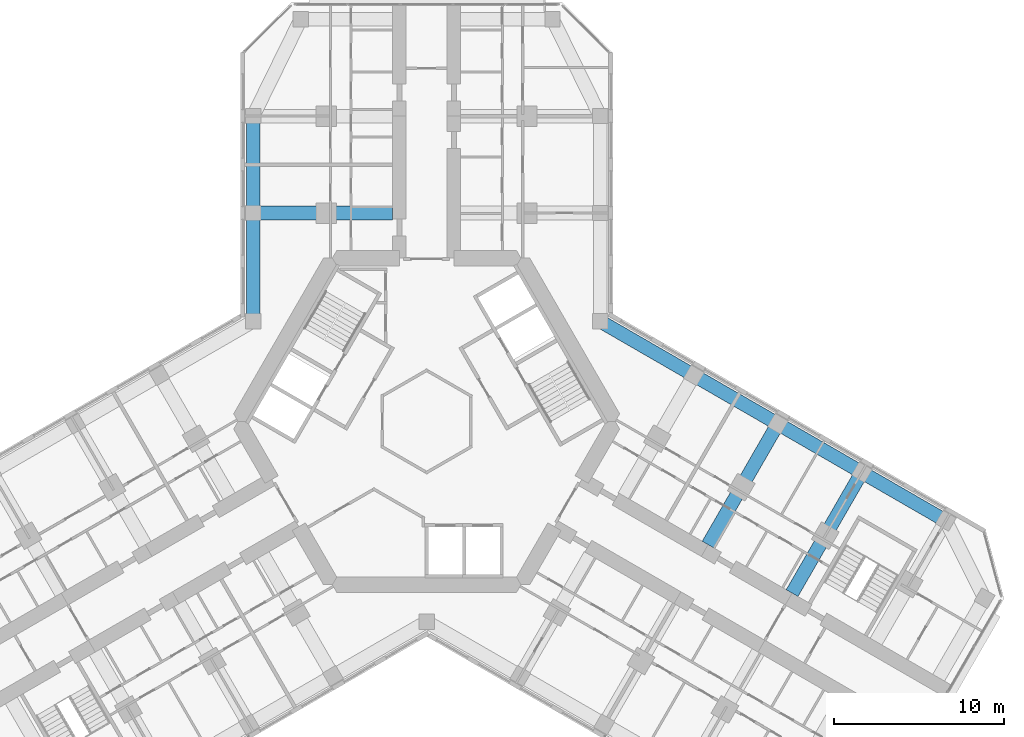
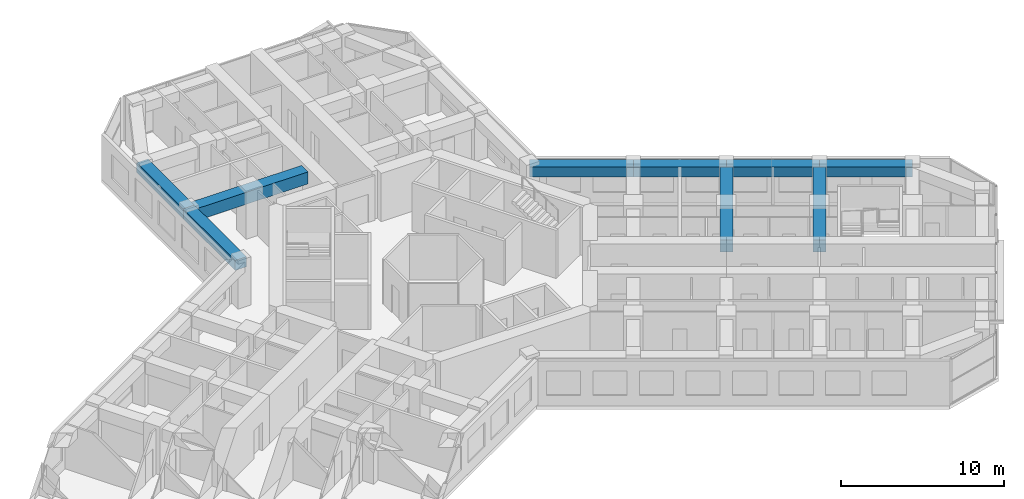
# One storey, part 6 of 19: 9 beams.
"""IFC4 building model written with IfcOpenShell, lengths in metres."""

from ifc_helpers import new_model, si_unit, direction, frame, origin, origin_2d, place, context, subcontext, project, spatial, rectangle, extrude, material, material_profile, profile_set, type_object, element, save


model = new_model("IFC4")

# Units and contexts
model_context = context("Model", 3, precision=1e-05, world=origin(), true_north=direction((0.0, 1.0)))
body_context = subcontext(model_context, "Body", "Model", "MODEL_VIEW")
ifc_project = project(units=[si_unit("LENGTHUNIT", "METRE"), si_unit("AREAUNIT", "SQUARE_METRE"), si_unit("VOLUMEUNIT", "CUBIC_METRE"), si_unit("PLANEANGLEUNIT", "RADIAN"), si_unit("MASSUNIT", "GRAM", prefix="KILO")], contexts=[model_context])

# Site, building, storey
site_placement = place(None, origin())
site = spatial("IfcSite", under=ifc_project, at=site_placement, CompositionType="ELEMENT")
building_placement = place(site_placement, origin())
building = spatial("IfcBuilding", under=site, at=building_placement, Name="Kosmar Iwan School Tower", CompositionType="ELEMENT")
storey_placement = place(building_placement, frame((0.0, 0.0, 134.60009765625)))
storey = spatial("IfcBuildingStorey", under=building, at=storey_placement, Name="L33", CompositionType="ELEMENT", Elevation=134.60009765625)

# Beams
ifc_material_1 = material(Name="Concrete C50/60", Category="concrete")
ifc_material_profile_1 = material_profile(ifc_material_1, rectangle(XDim=0.800048828125, YDim=0.75, at=origin_2d()), Name="RC 800x750")
ifc_profile_set_1 = profile_set([ifc_material_profile_1], Name="Concrete C50/60")
beam_type_1 = type_object("IfcBeamType", Name="RC edge beam 800x750", PredefinedType="BEAM", material=ifc_profile_set_1)
beam_1_placement = place(storey_placement, frame((-10.199951171875, 5.888916015625, 2.974853515625), z_axis=(0.0, 1.0, 0.0), x_axis=(-1.0, 0.0, 0.0)))
element("IfcBeam", 1, at=beam_1_placement, inside=storey, type_object=beam_type_1, Name="Edge beam AL1", PredefinedType="BEAM", context=body_context, shape_type="SweptSolid", body=[
    extrude(rectangle(XDim=0.800048828125, YDim=0.75, at=origin_2d()), origin(), (0.0, 0.0, 1.0), 6.361083984375),
])
beam_2_placement = place(storey_placement, frame((-10.199951171875, 12.25, 2.974853515625), z_axis=(0.0, 1.0, 0.0), x_axis=(-1.0, 0.0, 0.0)))
element("IfcBeam", 2, at=beam_2_placement, inside=storey, type_object=beam_type_1, Name="Edge beam AL2", PredefinedType="BEAM", context=body_context, shape_type="SweptSolid", body=[
    extrude(rectangle(XDim=0.800048828125, YDim=0.75, at=origin_2d()), origin(), (0.0, 0.0, 1.0), 5.699951171875),
])
beam_3_placement = place(storey_placement, frame((10.199951171875, 5.888916015625, 2.974853515625), z_axis=(0.866030912664, -0.49999045822, 0.0), x_axis=(0.49999045822, 0.866030912664, 0.0)))
element("IfcBeam", 3, at=beam_3_placement, inside=storey, type_object=beam_type_1, Name="Edge beam CL1", PredefinedType="BEAM", context=body_context, shape_type="SweptSolid", body=[
    extrude(rectangle(XDim=0.800048828125, YDim=0.75, at=origin_2d()), origin(), (0.0, 0.0, 1.0), 6.36083984375),
])
beam_4_placement = place(storey_placement, frame((15.708740234375, 2.70849609375, 2.974853515625), z_axis=(0.866025820012, -0.499999279071, 0.0), x_axis=(0.499999279071, 0.866025820012, 0.0)))
element("IfcBeam", 4, at=beam_4_placement, inside=storey, type_object=beam_type_1, Name="Edge beam CL2", PredefinedType="BEAM", context=body_context, shape_type="SweptSolid", body=[
    extrude(rectangle(XDim=0.800048828125, YDim=0.75, at=origin_2d()), origin(), (0.0, 0.0, 1.0), 5.7001953125),
])
for number, where, z_axis, x_axis, name in (
    (5, (20.645263671875, -0.1416015625, 2.974853515625), (0.866033658841, -0.49998570155, 0.0), (0.49998570155, 0.866033658841, 0.0), "Edge beam CL3"),
    (6, (25.58154296875, -2.991455078125, 2.974853515625), (0.866015111908, -0.50001782563, 0.0), (0.50001782563, 0.866015111908, 0.0), "Edge beam CL4"),
):
    element("IfcBeam", number, at=place(storey_placement, frame(where, z_axis=z_axis, x_axis=x_axis)), inside=storey, type_object=beam_type_1, Name=name, PredefinedType="BEAM", context=body_context, shape_type="SweptSolid", body=[
        extrude(rectangle(XDim=0.800048828125, YDim=0.75, at=origin_2d()), origin(), (0.0, 0.0, 1.0), 5.699951171875),
    ])
ifc_material_2 = material(Name="Concrete C50/60", Category="concrete")
ifc_material_profile_2 = material_profile(ifc_material_2, rectangle(XDim=0.800048828125, YDim=0.89990234375, at=origin_2d()), Name="RC 800x900")
ifc_profile_set_2 = profile_set([ifc_material_profile_2], Name="Concrete C50/60")
beam_type_2 = type_object("IfcBeamType", Name="RC transverse beam 800x900", PredefinedType="BEAM", material=ifc_profile_set_2)
for number, where, z_axis, x_axis, name in (
    (7, (-10.199951171875, 12.25, 2.89990234375), (1.0, 0.0, 0.0), (0.0, 1.0, 0.0), "Transverse beam AL1"),
    (8, (20.645263671875, -0.1416015625, 2.89990234375), (-0.500013681986, -0.866017504342, 0.0), (0.866017504342, -0.500013681986, 0.0), "Transverse beam CL2"),
):
    element("IfcBeam", number, at=place(storey_placement, frame(where, z_axis=z_axis, x_axis=x_axis)), inside=storey, type_object=beam_type_2, Name=name, PredefinedType="BEAM", context=body_context, shape_type="SweptSolid", body=[
        extrude(rectangle(XDim=0.800048828125, YDim=0.89990234375, at=origin_2d()), origin(), (0.0, 0.0, 1.0), 8.199951171875),
    ])
beam_5_placement = place(storey_placement, frame((25.58154296875, -2.991455078125, 2.89990234375), z_axis=(-0.500000789788, -0.8660249478, 0.0), x_axis=(0.8660249478, -0.500000789788, 0.0)))
element("IfcBeam", 9, at=beam_5_placement, inside=storey, type_object=beam_type_2, Name="Transverse beam CL3", PredefinedType="BEAM", context=body_context, shape_type="SweptSolid", body=[
    extrude(rectangle(XDim=0.800048828125, YDim=0.89990234375, at=origin_2d()), origin(), (0.0, 0.0, 1.0), 8.2001953125),
])

save(model, "model.ifc")
